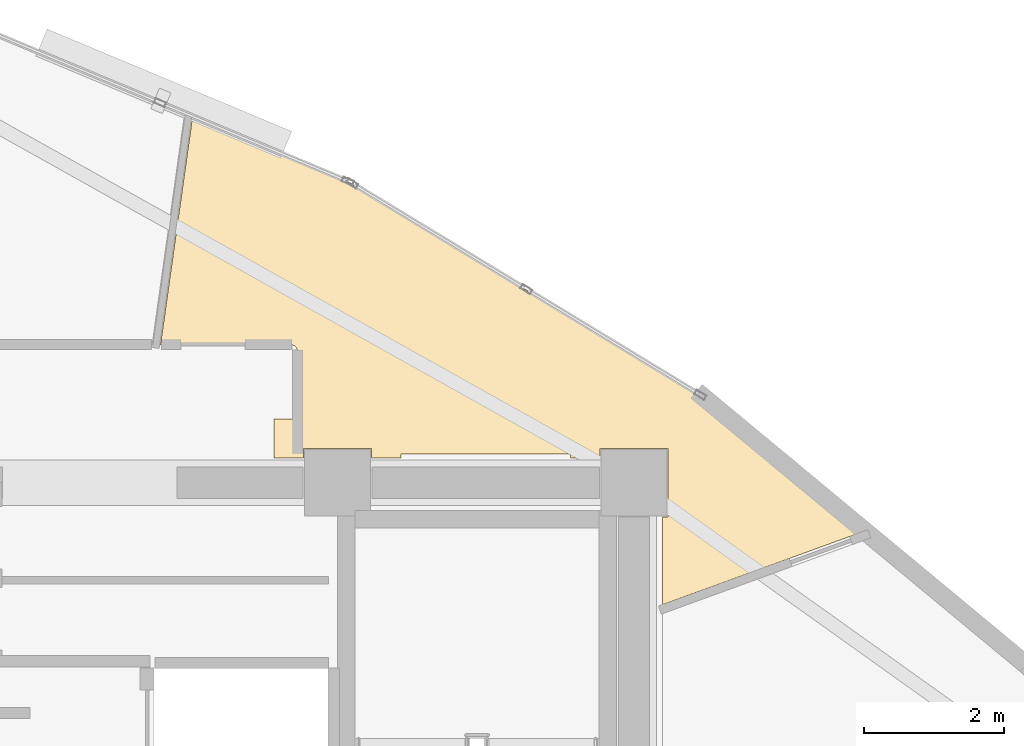
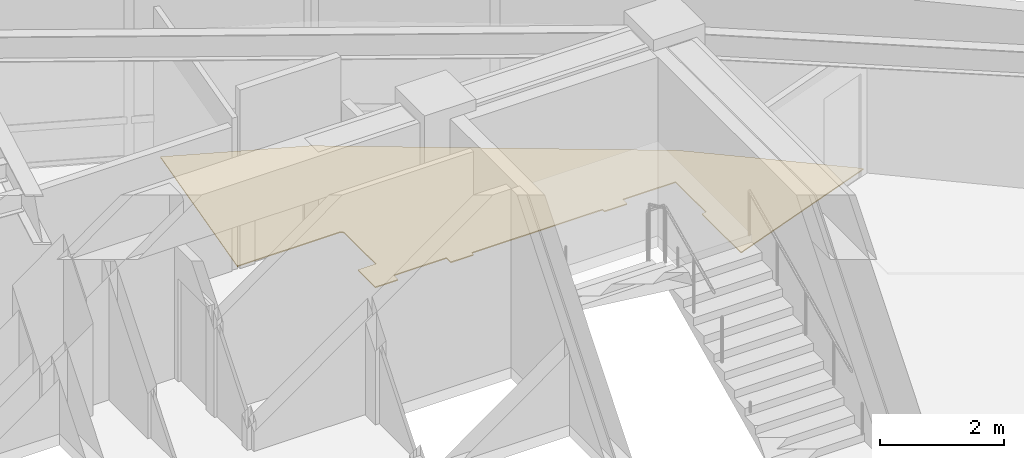
# One storey, part 16 of 16: 1 covering.
"""IFC4 building model written with IfcOpenShell, lengths in metres."""

import ifcopenshell
import ifcopenshell.guid

model = None  # the IFC model being written
_history = None  # IfcOwnerHistory: only IFC2X3 demands one
_inside = {}  # id of a spatial element -> (the spatial element, [elements in it])
_under = {}  # id of a project, library or spatial element -> (it, [spatial elements below it])
_declared = {}  # id of a project -> (the project, [libraries it declares])
_typed = {}  # id of a type object -> (the type object, [elements of that type])
_made_of = {}  # id of a material, layer set ... -> (it, [elements and type objects made of it])


def new_model(schema):
    """Start an empty IFC model of exactly this schema.

    Asked for "IFC4X3", IfcOpenShell would pick the latest addendum, in which some entities
    have other attributes; the version numbers below select the first issue.
    IFC2X3 requires an IfcOwnerHistory on every rooted entity: one is made here for all.
    """
    global model, _history
    if schema == "IFC4X3":
        model = ifcopenshell.file(schema_version=(4, 3, 0, 0))
    else:
        model = ifcopenshell.file(schema=schema)
    _inside.clear()
    _under.clear()
    _declared.clear()
    _typed.clear()
    _made_of.clear()
    _history = None
    if model.schema == "IFC2X3":
        org = make("IfcOrganization", Name="unknown")
        user = make(
            "IfcPersonAndOrganization",
            ThePerson=make("IfcPerson", FamilyName="unknown"),
            TheOrganization=org,
        )
        app = make(
            "IfcApplication",
            ApplicationDeveloper=org,
            Version="unknown",
            ApplicationFullName="unknown",
            ApplicationIdentifier="unknown",
        )
        _history = make(
            "IfcOwnerHistory",
            OwningUser=user,
            OwningApplication=app,
            ChangeAction="ADDED",
            CreationDate=0,
        )
    return model


def make(cls, **values):
    """One entity of the class cls with the attributes given. An attribute that is None is left unset."""
    return model.create_entity(
        cls, **{name: value for name, value in values.items() if value is not None}
    )


def rooted(cls, **values):
    """An entity with a GlobalId (a new one), such as an element, a storey or a relation."""
    return make(cls, GlobalId=ifcopenshell.guid.new(), OwnerHistory=_history, **values)


def si_unit(unit_type, name, prefix=None):
    """IfcSIUnit, for example si_unit("LENGTHUNIT", "METRE", prefix="MILLI")."""
    return make("IfcSIUnit", UnitType=unit_type, Prefix=prefix, Name=name)


def assignment(units):
    """IfcUnitAssignment: the units of a project."""
    return None if units is None else make("IfcUnitAssignment", Units=units)


def point(xyz):
    """IfcCartesianPoint."""
    return None if xyz is None else make("IfcCartesianPoint", Coordinates=xyz)


def direction(xyz):
    """IfcDirection."""
    return None if xyz is None else make("IfcDirection", DirectionRatios=xyz)


def frame(location, z_axis=None, x_axis=None):
    """IfcAxis2Placement3D, a coordinate frame: its origin and axes. An axis left out is left unset."""
    return make(
        "IfcAxis2Placement3D",
        Location=point(location),
        Axis=direction(z_axis),
        RefDirection=direction(x_axis),
    )


def origin():
    """The frame at (0, 0, 0) with its axes left unset."""
    return frame((0.0, 0.0, 0.0))


def place(relative_to, where):
    """IfcLocalPlacement: puts the frame where relative to a parent placement (None: the world)."""
    return make(
        "IfcLocalPlacement", PlacementRelTo=relative_to, RelativePlacement=where
    )


def context(
    kind, dimensions, precision=None, world=None, true_north=None, identifier=None
):
    """IfcGeometricRepresentationContext, for example the 3D "Model" context."""
    return make(
        "IfcGeometricRepresentationContext",
        ContextIdentifier=identifier,
        ContextType=kind,
        CoordinateSpaceDimension=dimensions,
        Precision=precision,
        WorldCoordinateSystem=world,
        TrueNorth=true_north,
    )


def subcontext(parent, identifier, kind, view, scale=None):
    """IfcGeometricRepresentationSubContext, for example "Body" below "Model"."""
    return make(
        "IfcGeometricRepresentationSubContext",
        ContextIdentifier=identifier,
        ContextType=kind,
        ParentContext=parent,
        TargetScale=scale,
        TargetView=view,
    )


def project(units=None, contexts=None):
    """IfcProject with its units and contexts."""
    return rooted(
        "IfcProject",
        Name="project",
        RepresentationContexts=contexts,
        UnitsInContext=assignment(units),
    )


def spatial(cls, under=None, at=None, **own):
    """A site, building, storey or space (cls), placed at a placement, below another one or the project."""
    s = rooted(cls, ObjectPlacement=at, **own)
    if under is not None:
        _under.setdefault(under.id(), (under, []))[1].append(s)
    return s


def polyline(points):
    """IfcPolyline through the points."""
    return make("IfcPolyline", Points=[point(p) for p in points])


def outline(outer, holes=None, kind="AREA"):
    """IfcArbitraryClosedProfileDef: a profile drawn as a closed curve; with holes, ...WithVoids."""
    if holes is None:
        return make("IfcArbitraryClosedProfileDef", ProfileType=kind, OuterCurve=outer)
    return make(
        "IfcArbitraryProfileDefWithVoids",
        ProfileType=kind,
        OuterCurve=outer,
        InnerCurves=holes,
    )


def extrude(swept, where, along, depth):
    """IfcExtrudedAreaSolid: the profile swept, set in the frame where, extruded along a direction by depth."""
    return make(
        "IfcExtrudedAreaSolid",
        SweptArea=swept,
        Position=where,
        ExtrudedDirection=direction(along),
        Depth=depth,
    )


def shape(context_of_items, identifier, shape_type, items):
    """IfcShapeRepresentation: the items that make up one representation, for example the "Body"."""
    return make(
        "IfcShapeRepresentation",
        ContextOfItems=context_of_items,
        RepresentationIdentifier=identifier,
        RepresentationType=shape_type,
        Items=items,
    )


def material(Name=None, Category=None):
    """IfcMaterial."""
    return make("IfcMaterial", Name=Name, Category=Category)


def layer(
    of_material, thickness, ventilated=None, Name=None, Category=None, Priority=None
):
    """IfcMaterialLayer: one layer of a wall or slab, of a material (None: an air gap)."""
    return make(
        "IfcMaterialLayer",
        Material=of_material,
        LayerThickness=thickness,
        IsVentilated=ventilated,
        Name=Name,
        Category=Category,
        Priority=Priority,
    )


def layer_set(layers, Name=None):
    """IfcMaterialLayerSet."""
    return make("IfcMaterialLayerSet", MaterialLayers=layers, LayerSetName=Name)


def made_of(thing, what):
    """Note that an element or type object is made of a material, layer set ...; save() writes the relation."""
    if what is not None:
        _made_of.setdefault(what.id(), (what, []))[1].append(thing)
    return thing


def type_object(cls, material=None, **own):
    """A type object (cls), such as IfcWallType, which elements share."""
    return made_of(rooted(cls, **own), material)


def element(
    cls,
    number,
    at=None,
    inside=None,
    cuts=None,
    type_object=None,
    material=None,
    context=None,
    identifier="Body",
    shape_type=None,
    held_by="IfcProductDefinitionShape",
    body=None,
    shapes=None,
    **own,
):
    """One element of the class cls, such as IfcWall. Its Tag is "e" and its number.

    at: its placement. inside: the storey or other place that contains it. cuts: it is an
    opening in that element (IfcRelVoidsElement). A single representation is given by context,
    identifier, shape_type and body (its items); several are given by shapes. held_by: the class
    of the entity that holds the representations. save() writes the other relations.
    """
    e = rooted(cls, Tag="e%d" % number, ObjectPlacement=at, **own)
    if body is not None:
        shapes = [shape(context, identifier, shape_type, body)]
    if shapes is not None:
        e.Representation = make(held_by, Representations=shapes)
    if inside is not None:
        _inside.setdefault(inside.id(), (inside, []))[1].append(e)
    if cuts is not None:
        rooted(
            "IfcRelVoidsElement", RelatingBuildingElement=cuts, RelatedOpeningElement=e
        )
    if type_object is not None:
        _typed.setdefault(type_object.id(), (type_object, []))[1].append(e)
    return made_of(e, material)


def aggregate(whole, parts):
    """IfcRelAggregates: a whole, such as a stair, and the parts it consists of."""
    return rooted("IfcRelAggregates", RelatingObject=whole, RelatedObjects=parts)


def save(model, path):
    """Write the relations noted so far, then the file.

    IfcRelAggregates (storeys below a building ...), IfcRelContainedInSpatialStructure (elements
    in a storey), IfcRelDefinesByType, IfcRelAssociatesMaterial and IfcRelDeclares: one each for
    every whole, place, type object, material and project.
    """
    for whole, parts in _under.values():
        aggregate(whole, parts)
    for where, things in _inside.values():
        rooted(
            "IfcRelContainedInSpatialStructure",
            RelatedElements=things,
            RelatingStructure=where,
        )
    for kind, things in _typed.values():
        rooted("IfcRelDefinesByType", RelatedObjects=things, RelatingType=kind)
    for what, things in _made_of.values():
        rooted("IfcRelAssociatesMaterial", RelatedObjects=things, RelatingMaterial=what)
    for by, libraries in _declared.values():
        rooted("IfcRelDeclares", RelatingContext=by, RelatedDefinitions=libraries)
    model.write(path)


model = new_model("IFC4")

# Units and contexts
model_context = context("Model", 3, precision=1e-05, world=origin(), true_north=direction((0.0, 1.0)))
body_context = subcontext(model_context, "Body", "Model", "MODEL_VIEW")
ifc_project = project(units=[si_unit("LENGTHUNIT", "METRE"), si_unit("AREAUNIT", "SQUARE_METRE"), si_unit("VOLUMEUNIT", "CUBIC_METRE"), si_unit("PLANEANGLEUNIT", "RADIAN"), si_unit("MASSUNIT", "GRAM", prefix="KILO")], contexts=[model_context])

# Site, building, storey
site_placement = place(None, origin())
site = spatial("IfcSite", under=ifc_project, at=site_placement, CompositionType="ELEMENT")
building_placement = place(site_placement, origin())
building = spatial("IfcBuilding", under=site, at=building_placement, Name="Menara Vayukalpa", CompositionType="ELEMENT")
storey_placement = place(building_placement, frame((0.0, 0.0, 273.179931640625)))
storey = spatial("IfcBuildingStorey", under=building, at=storey_placement, Name="L69", CompositionType="ELEMENT", Elevation=273.179931640625)

# Covering
ifc_material = material(Name="Porcelain Stoneware Floor Tile", Category="masonry")
ifc_layer = layer(ifc_material, 0.02001953125)
ifc_layer_set = layer_set([ifc_layer], Name="Porcelain Stoneware Floor Tile")
covering_type = type_object("IfcCoveringType", Name="COV-FLR1", PredefinedType="FLOORING", material=ifc_layer_set)
covering_placement = place(storey_placement, origin())
element("IfcCovering", 1, at=covering_placement, inside=storey, type_object=covering_type, Name="L69 Client Conference Room Porcelain Flooring", PredefinedType="FLOORING", context=body_context, shape_type="SweptSolid", body=[
    extrude(outline(polyline([(28.570068359375, 28.69970703125), (28.569580078125, 28.706787109375), (28.568603515625, 28.713623046875), (28.56689453125, 28.72021484375), (28.564697265625, 28.726806640625), (28.561767578125, 28.73291015625), (28.55810546875, 28.73876953125), (28.553955078125, 28.744384765625), (28.549560546875, 28.74951171875), (28.54443359375, 28.75390625), (28.538818359375, 28.75830078125), (28.532958984375, 28.76171875), (28.52685546875, 28.7646484375), (28.520263671875, 28.76708984375), (28.513671875, 28.768798828125), (28.5068359375, 28.76953125), (28.499755859375, 28.77001953125), (26.62353515625, 28.77001953125), (26.62255859375, 28.77001953125), (26.62158203125, 28.770263671875), (26.62060546875, 28.7705078125), (26.61962890625, 28.770751953125), (26.618896484375, 28.771240234375), (26.617919921875, 28.771728515625), (26.6171875, 28.7724609375), (26.616455078125, 28.773193359375), (26.61572265625, 28.773681640625), (26.615234375, 28.774658203125), (26.61474609375, 28.775390625), (26.6142578125, 28.7763671875), (26.614013671875, 28.77734375), (26.61376953125, 28.7783203125), (26.613525390625, 28.779296875), (26.613525390625, 28.780517578125), (26.61376953125, 28.781494140625), (27.06982421875, 32.02685546875), (27.070068359375, 32.027587890625), (27.0703125, 32.02880859375), (27.070556640625, 32.029541015625), (27.071044921875, 32.030517578125), (27.071533203125, 32.03125), (27.072265625, 32.031982421875), (27.07275390625, 32.03271484375), (27.073486328125, 32.033203125), (27.07421875, 32.03369140625), (27.0751953125, 32.0341796875), (27.076171875, 32.03466796875), (27.076904296875, 32.034912109375), (27.077880859375, 32.03515625), (27.078857421875, 32.035400390625), (27.079833984375, 32.035400390625), (27.080810546875, 32.035400390625), (27.081787109375, 32.03515625), (27.082763671875, 32.034912109375), (27.08349609375, 32.03466796875), (29.32568359375, 31.0966796875), (29.326416015625, 31.09619140625), (29.3271484375, 31.095947265625), (34.37353515625, 28.030517578125), (34.374755859375, 28.02978515625), (36.684326171875, 26.1142578125), (36.68505859375, 26.113525390625), (36.685791015625, 26.11279296875), (36.686279296875, 26.112060546875), (36.68701171875, 26.111083984375), (36.687255859375, 26.1103515625), (36.6875, 26.109375), (36.687744140625, 26.1083984375), (36.68798828125, 26.107421875), (36.68798828125, 26.1064453125), (36.68798828125, 26.10546875), (36.687744140625, 26.1044921875), (36.6875, 26.103515625), (36.68701171875, 26.1025390625), (36.686767578125, 26.1015625), (36.68603515625, 26.100830078125), (36.685546875, 26.10009765625), (36.684814453125, 26.099365234375), (36.68408203125, 26.0986328125), (36.68310546875, 26.09814453125), (36.682373046875, 26.09765625), (36.681396484375, 26.09716796875), (33.823486328125, 25.056884765625), (33.822509765625, 25.056640625), (33.821533203125, 25.056396484375), (33.820556640625, 25.056396484375), (33.819580078125, 25.056396484375), (33.818603515625, 25.056396484375), (33.81787109375, 25.056640625), (33.81689453125, 25.056884765625), (33.81591796875, 25.05712890625), (33.815185546875, 25.0576171875), (33.814208984375, 25.05810546875), (33.8134765625, 25.05859375), (33.812744140625, 25.059326171875), (33.812255859375, 25.06005859375), (33.8115234375, 25.060791015625), (33.81103515625, 25.061767578125), (33.810791015625, 25.0625), (33.810302734375, 25.0634765625), (33.810302734375, 25.064453125), (33.81005859375, 25.065185546875), (33.81005859375, 25.06640625), (33.81005859375, 26.31005859375), (33.889892578125, 26.31005859375), (33.889892578125, 27.2900390625), (32.909912109375, 27.2900390625), (32.909912109375, 27.14990234375), (32.489990234375, 27.14990234375), (32.489990234375, 27.2099609375), (30.06005859375, 27.2099609375), (30.06005859375, 27.14990234375), (29.639892578125, 27.14990234375), (29.639892578125, 27.2900390625), (28.659912109375, 27.2900390625), (28.659912109375, 27.14990234375), (28.239990234375, 27.14990234375), (28.239990234375, 27.7099609375), (28.570068359375, 27.7099609375), (28.570068359375, 28.69970703125)])), origin(), (0.0, 0.0, 1.0), 0.02001953125),
])

save(model, "model.ifc")
